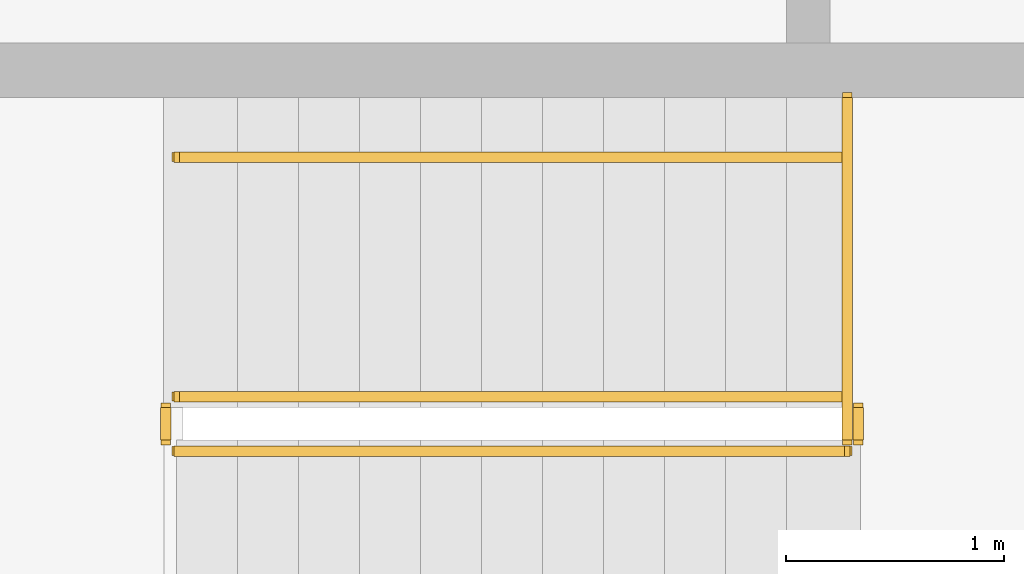
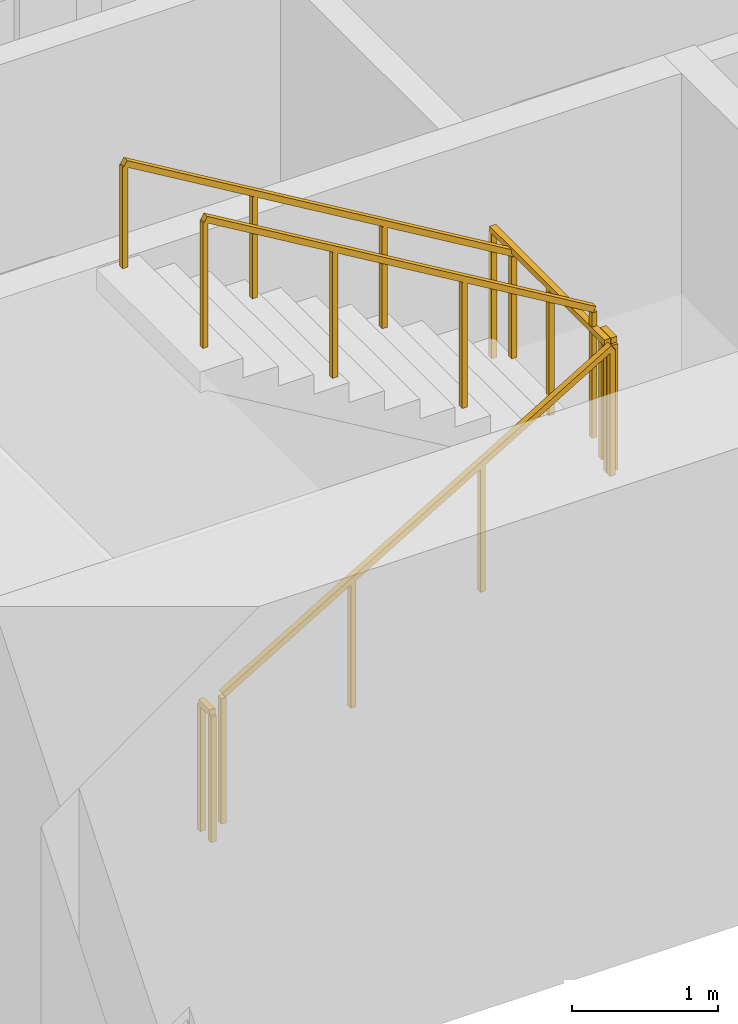
# One storey, part 14 of 17: 6 railings.
"""IFC4 building model written with IfcOpenShell, lengths in metres."""

from ifc_helpers import new_model, si_unit, direction, frame, origin, origin_2d, place, context, subcontext, project, spatial, rectangle, extrude, material, type_object, element, save


model = new_model("IFC4")

# Units and contexts
model_context = context("Model", 3, precision=1e-05, world=origin(), true_north=direction((0.0, 1.0)))
body_context = subcontext(model_context, "Body", "Model", "MODEL_VIEW")
ifc_project = project(units=[si_unit("LENGTHUNIT", "METRE"), si_unit("AREAUNIT", "SQUARE_METRE"), si_unit("VOLUMEUNIT", "CUBIC_METRE"), si_unit("PLANEANGLEUNIT", "RADIAN"), si_unit("MASSUNIT", "GRAM", prefix="KILO")], contexts=[model_context])

# Site, building, storey
site_placement = place(None, origin())
site = spatial("IfcSite", under=ifc_project, at=site_placement, CompositionType="ELEMENT")
building_placement = place(site_placement, origin())
building = spatial("IfcBuilding", under=site, at=building_placement, Name="Sennacour Bend Tower", CompositionType="ELEMENT")
storey_placement = place(building_placement, frame((0.0, 0.0, 203.0)))
storey = spatial("IfcBuildingStorey", under=building, at=storey_placement, Name="L46", CompositionType="ELEMENT", Elevation=203.0)

# Railings
ifc_material = material(Name="Stainless steel", Category="steel")
railing_type_1 = type_object("IfcRailingType", Name="RL-GUARD-1100", PredefinedType="GUARDRAIL", material=ifc_material)
railing_1_placement = place(storey_placement, frame((56.699951171875, 2.449951171875, 0.166748046875)))
element("IfcRailing", 1, at=railing_1_placement, inside=storey, type_object=railing_type_1, Name="L46 SA1 stair guard 1", PredefinedType="GUARDRAIL", context=body_context, shape_type="SweptSolid", body=[
    extrude(rectangle(XDim=0.048095703125, YDim=0.048095703125, at=origin_2d()), frame((0.0, 0.0, 1.076171875), z_axis=(0.859308565015, 0.0, 0.511457515432), x_axis=(0.0, 1.0, 0.0)), (0.0, 0.0, 1.0), 3.58447265625),
    extrude(rectangle(XDim=0.0419921875, YDim=0.0419921875, at=origin_2d()), origin(), (0.0, 0.0, 1.0), 1.052001953125),
    extrude(rectangle(XDim=0.0419921875, YDim=0.0419921875, at=origin_2d()), frame((1.026611328125, 0.0, 0.611083984375)), (0.0, 0.0, 1.0), 1.052001953125),
    extrude(rectangle(XDim=0.0419921875, YDim=0.0419921875, at=origin_2d()), frame((2.053466796875, 0.0, 1.22216796875)), (0.0, 0.0, 1.0), 1.052001953125),
    extrude(rectangle(XDim=0.0419921875, YDim=0.0419921875, at=origin_2d()), frame((3.080078125, 0.0, 1.833251953125)), (0.0, 0.0, 1.0), 1.052001953125),
])
railing_2_placement = place(storey_placement, frame((59.830078125, 2.5, 2.0)))
element("IfcRailing", 2, at=railing_2_placement, inside=storey, type_object=railing_type_1, Name="L46 SA1 stair guard 2", PredefinedType="GUARDRAIL", context=body_context, shape_type="SweptSolid", body=[
    extrude(rectangle(XDim=0.048095703125, YDim=0.048095703125, at=origin_2d()), frame((0.0, 0.0, 1.076171875), z_axis=(0.0, 1.0, 0.0), x_axis=(-1.0, 0.0, 0.0)), (0.0, 0.0, 1.0), 0.14990234375),
    extrude(rectangle(XDim=0.0419921875, YDim=0.0419921875, at=origin_2d()), origin(), (0.0, 0.0, 1.0), 1.052001953125),
    extrude(rectangle(XDim=0.0419921875, YDim=0.0419921875, at=origin_2d()), frame((0.0, 0.14990234375, 0.0)), (0.0, 0.0, 1.0), 1.052001953125),
])
railing_3_placement = place(storey_placement, frame((59.780029296875, 2.699951171875, 2.166748046875)))
element("IfcRailing", 3, at=railing_3_placement, inside=storey, type_object=railing_type_1, Name="L46 SA1 stair guard 4", PredefinedType="GUARDRAIL", context=body_context, shape_type="SweptSolid", body=[
    extrude(rectangle(XDim=0.048095703125, YDim=0.048095703125, at=origin_2d()), frame((0.0, 0.0, 1.076171875), z_axis=(-0.859308565015, 0.0, 0.511457515432), x_axis=(0.0, -1.0, 0.0)), (0.0, 0.0, 1.0), 3.58447265625),
    extrude(rectangle(XDim=0.0419921875, YDim=0.0419921875, at=origin_2d()), origin(), (0.0, 0.0, 1.0), 1.052001953125),
    extrude(rectangle(XDim=0.0419921875, YDim=0.0419921875, at=origin_2d()), frame((-1.026611328125, 0.0, 0.611083984375)), (0.0, 0.0, 1.0), 1.052001953125),
    extrude(rectangle(XDim=0.0419921875, YDim=0.0419921875, at=origin_2d()), frame((-2.053466796875, 0.0, 1.22216796875)), (0.0, 0.0, 1.0), 1.052001953125),
    extrude(rectangle(XDim=0.0419921875, YDim=0.0419921875, at=origin_2d()), frame((-3.080078125, 0.0, 1.833251953125)), (0.0, 0.0, 1.0), 1.052001953125),
])
railing_4_placement = place(storey_placement, frame((56.64990234375, 2.5, 0.0)))
element("IfcRailing", 4, at=railing_4_placement, inside=storey, type_object=railing_type_1, Name="L46 SA1 stair guard 5", PredefinedType="GUARDRAIL", context=body_context, shape_type="SweptSolid", body=[
    extrude(rectangle(XDim=0.048095703125, YDim=0.048095703125, at=origin_2d()), frame((0.0, 0.0, 1.076171875), z_axis=(0.0, 1.0, 0.0), x_axis=(-1.0, 0.0, 0.0)), (0.0, 0.0, 1.0), 0.14990234375),
    extrude(rectangle(XDim=0.0419921875, YDim=0.0419921875, at=origin_2d()), origin(), (0.0, 0.0, 1.0), 1.052001953125),
    extrude(rectangle(XDim=0.0419921875, YDim=0.0419921875, at=origin_2d()), frame((0.0, 0.14990234375, 0.0)), (0.0, 0.0, 1.0), 1.052001953125),
])
railing_5_placement = place(storey_placement, frame((59.780029296875, 2.5, 2.0)))
element("IfcRailing", 5, at=railing_5_placement, inside=storey, type_object=railing_type_1, Name="L46 SA1 landing edge guard 68", PredefinedType="GUARDRAIL", context=body_context, shape_type="SweptSolid", body=[
    extrude(rectangle(XDim=0.048095703125, YDim=0.048095703125, at=origin_2d()), frame((0.0, 0.0, 1.076171875), z_axis=(0.0, 1.0, 0.0), x_axis=(-1.0, 0.0, 0.0)), (0.0, 0.0, 1.0), 1.574951171875),
    extrude(rectangle(XDim=0.0419921875, YDim=0.0419921875, at=origin_2d()), origin(), (0.0, 0.0, 1.0), 1.052001953125),
    extrude(rectangle(XDim=0.0419921875, YDim=0.0419921875, at=origin_2d()), frame((0.0, 0.78759765625, 0.0)), (0.0, 0.0, 1.0), 1.052001953125),
    extrude(rectangle(XDim=0.0419921875, YDim=0.0419921875, at=origin_2d()), frame((0.0, 1.574951171875, 0.0)), (0.0, 0.0, 1.0), 1.052001953125),
])
railing_type_2 = type_object("IfcRailingType", Name="RL-HANDRAIL-900", PredefinedType="HANDRAIL", material=ifc_material)
railing_6_placement = place(storey_placement, frame((59.780029296875, 3.800048828125, 2.166748046875)))
element("IfcRailing", 6, at=railing_6_placement, inside=storey, type_object=railing_type_2, Name="L46 SA1 stair handrail 2", PredefinedType="HANDRAIL", context=body_context, shape_type="SweptSolid", body=[
    extrude(rectangle(XDim=0.048095703125, YDim=0.048095703125, at=origin_2d()), frame((0.0, 0.0, 0.8759765625), z_axis=(-0.859308565015, 0.0, 0.511457515432), x_axis=(0.0, -1.0, 0.0)), (0.0, 0.0, 1.0), 3.58447265625),
    extrude(rectangle(XDim=0.0419921875, YDim=0.0419921875, at=origin_2d()), origin(), (0.0, 0.0, 1.0), 0.851806640625),
    extrude(rectangle(XDim=0.0419921875, YDim=0.0419921875, at=origin_2d()), frame((-1.026611328125, 0.0, 0.611083984375)), (0.0, 0.0, 1.0), 0.851806640625),
    extrude(rectangle(XDim=0.0419921875, YDim=0.0419921875, at=origin_2d()), frame((-2.053466796875, 0.0, 1.22216796875)), (0.0, 0.0, 1.0), 0.851806640625),
    extrude(rectangle(XDim=0.0419921875, YDim=0.0419921875, at=origin_2d()), frame((-3.080078125, 0.0, 1.833251953125)), (0.0, 0.0, 1.0), 0.851806640625),
])

save(model, "model.ifc")
